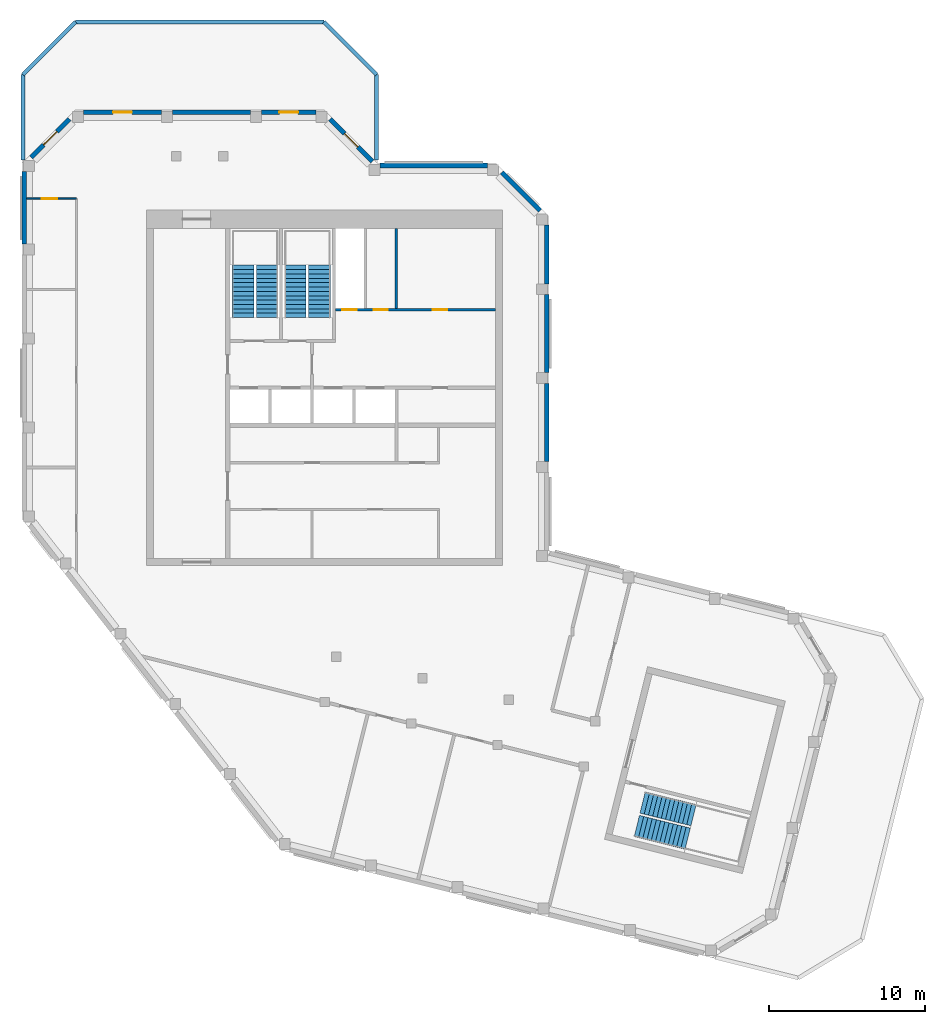
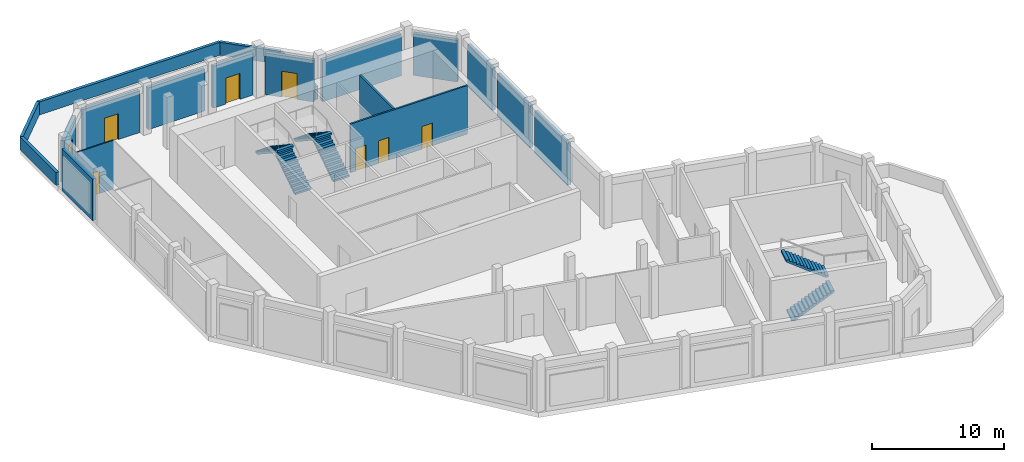
# One storey, part 4 of 5: 19 walls, 8 doors, 6 stair flights, 8 openings, 3 elements without a shape of their own.
"""IFC4 building model written with IfcOpenShell, lengths in metres."""

from ifc_helpers import new_model, si_unit, direction, frame, frame_2d, origin, place, context, subcontext, project, spatial, polyline, rectangle, outline, extrude, material, layer, layer_set, type_object, element, fill, aggregate, save


model = new_model("IFC4")

# Units and contexts
model_context = context("Model", 3, precision=1e-05, world=origin(), true_north=direction((0.0, 1.0)))
body_context = subcontext(model_context, "Body", "Model", "MODEL_VIEW")
ifc_project = project(units=[si_unit("LENGTHUNIT", "METRE"), si_unit("AREAUNIT", "SQUARE_METRE"), si_unit("VOLUMEUNIT", "CUBIC_METRE"), si_unit("PLANEANGLEUNIT", "RADIAN"), si_unit("MASSUNIT", "GRAM", prefix="KILO")], contexts=[model_context])

# Site, building, storey
site_placement = place(None, origin())
site = spatial("IfcSite", under=ifc_project, at=site_placement, CompositionType="ELEMENT")
building_placement = place(site_placement, origin())
building = spatial("IfcBuilding", under=site, at=building_placement, Name="Meshkara Civic Tower", CompositionType="ELEMENT")
storey_placement = place(building_placement, frame((0.0, 0.0, 409.800048828125)))
storey = spatial("IfcBuildingStorey", under=building, at=storey_placement, Name="L94 Crown", CompositionType="ELEMENT", Elevation=409.800048828125)

# Walls
ifc_material_1 = material(Name="Insulated infill panel with bronze anodised aluminium cladding", Category="aluminium")
ifc_layer_1 = layer(ifc_material_1, 0.300048828125)
ifc_layer_set_1 = layer_set([ifc_layer_1], Name="CROWN WALL 300")
wall_type_1 = type_object("IfcWallType", Name="CROWN WALL 300", PredefinedType="SOLIDWALL", material=ifc_layer_set_1)
for number, where, z_axis, x_axis, name in (
    (1, (33.64990234375, 20.76904296875, 0.0), (0.0, 0.0, 1.0), (0.0, 1.0, 0.0), "Crown external wall"),
    (2, (33.64990234375, 26.468994140625, 0.0), (0.0, 0.0, 1.0), (0.0, 1.0, 0.0), "Crown external wall"),
):
    element("IfcWall", number, at=place(storey_placement, frame(where, z_axis=z_axis, x_axis=x_axis)), inside=storey, type_object=wall_type_1, Name=name, PredefinedType="SOLIDWALL", context=body_context, shape_type="SweptSolid", body=[
        extrude(rectangle(XDim=5.0, YDim=0.300048828125, at=frame_2d((2.5, 0.0))), origin(), (0.0, 0.0, 1.0), 3.849853515625),
    ])
wall_1_placement = place(storey_placement, frame((33.64990234375, 32.1689453125, 0.0), z_axis=(0.0, 0.0, 1.0), x_axis=(0.0, 1.0, 0.0)))
element("IfcWall", 3, at=wall_1_placement, inside=storey, type_object=wall_type_1, Name="Crown external wall", PredefinedType="SOLIDWALL", context=body_context, shape_type="SweptSolid", body=[
    extrude(rectangle(XDim=3.775146484375, YDim=0.300048828125, at=frame_2d((1.8876953125, 0.0))), origin(), (0.0, 0.0, 1.0), 3.849853515625),
])
wall_2_placement = place(storey_placement, frame((33.2119140625, 36.85595703125, 0.0), z_axis=(0.0, 0.0, 1.0), x_axis=(-0.707071634094, 0.707141926532, 0.0)))
element("IfcWall", 4, at=wall_2_placement, inside=storey, type_object=wall_type_1, Name="Crown external wall", PredefinedType="SOLIDWALL", context=body_context, shape_type="SweptSolid", body=[
    extrude(rectangle(XDim=3.47314453125, YDim=0.300048828125, at=frame_2d((1.736572265625, 0.0))), origin(), (0.0, 0.0, 1.0), 3.849853515625),
])
wall_3_placement = place(storey_placement, frame((29.843994140625, 39.75, 0.0), z_axis=(0.0, 0.0, 1.0), x_axis=(-1.0, 0.0, 0.0)))
element("IfcWall", 5, at=wall_3_placement, inside=storey, type_object=wall_type_1, Name="Crown external wall", PredefinedType="SOLIDWALL", context=body_context, shape_type="SweptSolid", body=[
    extrude(rectangle(XDim=6.8798828125, YDim=0.300048828125, at=frame_2d((3.43994140625, 0.0))), origin(), (0.0, 0.0, 1.0), 3.849853515625),
])

# Wall, opening, door
wall_4_placement = place(storey_placement, frame((22.47607421875, 40.011962890625, 0.0), z_axis=(0.0, 0.0, 1.0), x_axis=(-0.707106781187, 0.707106781187, 0.0)))
wall_4 = element("IfcWall", 6, at=wall_4_placement, inside=storey, type_object=wall_type_1, Name="Crown external wall", PredefinedType="SOLIDWALL", context=body_context, shape_type="SweptSolid", body=[
    extrude(rectangle(XDim=3.8466796875, YDim=0.300048828125, at=frame_2d((1.92333984375, 0.0))), origin(), (0.0, 0.0, 1.0), 3.849853515625),
])
opening_1_placement = place(wall_4_placement, frame((1.322998046875, 0.0, 0.0)))
opening_1 = element("IfcOpeningElement", 7, at=opening_1_placement, cuts=wall_4, Name="Opening L94 Crown-L001", PredefinedType="OPENING", context=body_context, shape_type="SweptSolid", body=[
    extrude(rectangle(XDim=1.199951171875, YDim=2.39990234375, at=frame_2d((0.60009765625, 1.199951171875))), frame((0.0, 0.159912109375, 0.0), z_axis=(0.0, -1.0, 0.0), x_axis=(1.0, 0.0, 0.0)), (0.0, 0.0, 1.0), 0.320068359375),
])
ifc_material_2 = material(Name="Steel S355", Category="steel")
door_type_1 = type_object("IfcDoorType", Name="ROOF ACCESS DOOR 1200x2400", OperationType="SINGLE_SWING_LEFT", PredefinedType="DOOR", material=ifc_material_2)
door_1_placement = place(opening_1_placement, origin())
door_1 = element("IfcDoor", 8, at=door_1_placement, inside=storey, type_object=door_type_1, Name="L94 Crown-L001", OperationType="SINGLE_SWING_LEFT", OverallHeight=2.39990234375, OverallWidth=1.199951171875, PredefinedType="DOOR", context=body_context, shape_type="SweptSolid", body=[
    extrude(rectangle(XDim=1.199951171875, YDim=2.39990234375, at=frame_2d((0.60009765625, 1.199951171875))), frame((0.0, 0.02490234375, 0.0), z_axis=(0.0, -1.0, 0.0), x_axis=(1.0, 0.0, 0.0)), (0.0, 0.0, 1.0), 0.050048828125),
])
fill(opening_1, door_1)

wall_5_placement = place(storey_placement, frame((18.843994140625, 43.169921875, 0.0), z_axis=(0.0, 0.0, 1.0), x_axis=(-1.0, 0.0, 0.0)))
wall_5 = element("IfcWall", 9, at=wall_5_placement, inside=storey, type_object=wall_type_1, Name="Crown external wall", PredefinedType="SOLIDWALL", context=body_context, shape_type="SweptSolid", body=[
    extrude(rectangle(XDim=3.488037109375, YDim=0.300048828125, at=frame_2d((1.744140625, 0.0))), origin(), (0.0, 0.0, 1.0), 3.849853515625),
])
opening_2_placement = place(wall_5_placement, frame((1.14404296875, 0.0, 0.0)))
opening_2 = element("IfcOpeningElement", 10, at=opening_2_placement, cuts=wall_5, Name="Opening L94 Crown-L002", PredefinedType="OPENING", context=body_context, shape_type="SweptSolid", body=[
    extrude(rectangle(XDim=1.199951171875, YDim=2.39990234375, at=frame_2d((0.60009765625, 1.199951171875))), frame((0.0, 0.159912109375, 0.0), z_axis=(0.0, -1.0, 0.0), x_axis=(1.0, 0.0, 0.0)), (0.0, 0.0, 1.0), 0.320068359375),
])
door_2_placement = place(opening_2_placement, origin())
door_2 = element("IfcDoor", 11, at=door_2_placement, inside=storey, type_object=door_type_1, Name="L94 Crown-L002", OperationType="SINGLE_SWING_LEFT", OverallHeight=2.39990234375, OverallWidth=1.199951171875, PredefinedType="DOOR", context=body_context, shape_type="SweptSolid", body=[
    extrude(rectangle(XDim=1.199951171875, YDim=2.39990234375, at=frame_2d((0.60009765625, 1.199951171875))), frame((0.0, 0.02490234375, 0.0), z_axis=(0.0, -1.0, 0.0), x_axis=(1.0, 0.0, 0.0)), (0.0, 0.0, 1.0), 0.050048828125),
])
fill(opening_2, door_2)

# Wall
wall_6_placement = place(storey_placement, frame((14.656005859375, 43.169921875, 0.0), z_axis=(0.0, 0.0, 1.0), x_axis=(-1.0, 0.0, 0.0)))
element("IfcWall", 12, at=wall_6_placement, inside=storey, type_object=wall_type_1, Name="Crown external wall", PredefinedType="SOLIDWALL", context=body_context, shape_type="SweptSolid", body=[
    extrude(rectangle(XDim=5.0, YDim=0.300048828125, at=frame_2d((2.5, 0.0))), origin(), (0.0, 0.0, 1.0), 3.849853515625),
])

# Wall, opening, door
wall_7_placement = place(storey_placement, frame((8.9560546875, 43.169921875, 0.0), z_axis=(0.0, 0.0, 1.0), x_axis=(-1.0, 0.0, 0.0)))
wall_7 = element("IfcWall", 13, at=wall_7_placement, inside=storey, type_object=wall_type_1, Name="Crown external wall", PredefinedType="SOLIDWALL", context=body_context, shape_type="SweptSolid", body=[
    extrude(rectangle(XDim=5.0, YDim=0.300048828125, at=frame_2d((2.5, 0.0))), origin(), (0.0, 0.0, 1.0), 3.849853515625),
])
opening_3_placement = place(wall_7_placement, frame((1.89990234375, 0.0, 0.0)))
opening_3 = element("IfcOpeningElement", 14, at=opening_3_placement, cuts=wall_7, Name="Opening L94 Crown-L003", PredefinedType="OPENING", context=body_context, shape_type="SweptSolid", body=[
    extrude(rectangle(XDim=1.199951171875, YDim=2.39990234375, at=frame_2d((0.60009765625, 1.199951171875))), frame((0.0, 0.159912109375, 0.0), z_axis=(0.0, -1.0, 0.0), x_axis=(1.0, 0.0, 0.0)), (0.0, 0.0, 1.0), 0.320068359375),
])
door_3_placement = place(opening_3_placement, origin())
door_3 = element("IfcDoor", 15, at=door_3_placement, inside=storey, type_object=door_type_1, Name="L94 Crown-L003", OperationType="SINGLE_SWING_LEFT", OverallHeight=2.39990234375, OverallWidth=1.199951171875, PredefinedType="DOOR", context=body_context, shape_type="SweptSolid", body=[
    extrude(rectangle(XDim=1.199951171875, YDim=2.39990234375, at=frame_2d((0.60009765625, 1.199951171875))), frame((0.0, 0.02490234375, 0.0), z_axis=(0.0, -1.0, 0.0), x_axis=(1.0, 0.0, 0.0)), (0.0, 0.0, 1.0), 0.050048828125),
])
fill(opening_3, door_3)

wall_8_placement = place(storey_placement, frame((3.0439453125, 42.73193359375, 0.0), z_axis=(0.0, 0.0, 1.0), x_axis=(-0.707106781187, -0.707106781187, 0.0)))
wall_8 = element("IfcWall", 16, at=wall_8_placement, inside=storey, type_object=wall_type_1, Name="Crown external wall", PredefinedType="SOLIDWALL", context=body_context, shape_type="SweptSolid", body=[
    extrude(rectangle(XDim=3.473388671875, YDim=0.300048828125, at=frame_2d((1.73681640625, 0.0))), origin(), (0.0, 0.0, 1.0), 3.849853515625),
])
opening_4_placement = place(wall_8_placement, frame((1.136962890625, 0.0, 0.0)))
opening_4 = element("IfcOpeningElement", 17, at=opening_4_placement, cuts=wall_8, Name="Opening L94 Crown-L004", PredefinedType="OPENING", context=body_context, shape_type="SweptSolid", body=[
    extrude(rectangle(XDim=1.199951171875, YDim=2.39990234375, at=frame_2d((0.60009765625, 1.199951171875))), frame((0.0, 0.159912109375, 0.0), z_axis=(0.0, -1.0, 0.0), x_axis=(1.0, 0.0, 0.0)), (0.0, 0.0, 1.0), 0.320068359375),
])
door_4_placement = place(opening_4_placement, origin())
door_4 = element("IfcDoor", 18, at=door_4_placement, inside=storey, type_object=door_type_1, Name="L94 Crown-L004", OperationType="SINGLE_SWING_LEFT", OverallHeight=2.39990234375, OverallWidth=1.199951171875, PredefinedType="DOOR", context=body_context, shape_type="SweptSolid", body=[
    extrude(rectangle(XDim=1.199951171875, YDim=2.39990234375, at=frame_2d((0.60009765625, 1.199951171875))), frame((0.0, 0.02490234375, 0.0), z_axis=(0.0, -1.0, 0.0), x_axis=(1.0, 0.0, 0.0)), (0.0, 0.0, 1.0), 0.050048828125),
])
fill(opening_4, door_4)

# Wall
wall_9_placement = place(storey_placement, frame((0.14990234375, 39.364013671875, 0.0), z_axis=(0.0, 0.0, 1.0), x_axis=(0.0, -1.0, 0.0)))
element("IfcWall", 19, at=wall_9_placement, inside=storey, type_object=wall_type_1, Name="Crown external wall", PredefinedType="SOLIDWALL", context=body_context, shape_type="SweptSolid", body=[
    extrude(rectangle(XDim=4.658935546875, YDim=0.300048828125, at=frame_2d((2.32958984375, 0.0))), origin(), (0.0, 0.0, 1.0), 3.849853515625),
])

# Wall, openings, doors
ifc_material_3 = material(Name="Blockwork", Category="masonry")
ifc_layer_2 = layer(ifc_material_3, 0.14990234375)
ifc_layer_set_2 = layer_set([ifc_layer_2], Name="Core partition 150")
wall_type_2 = type_object("IfcWallType", Name="Core partition 150", PredefinedType="PARTITIONING", material=ifc_layer_set_2)
wall_10_placement = place(storey_placement, frame((20.10009765625, 30.5, 0.0), z_axis=(0.0, 0.0, 1.0), x_axis=(1.0, 0.0, 0.0)))
wall_10 = element("IfcWall", 20, at=wall_10_placement, inside=storey, type_object=wall_type_2, Name="L94 Crown-C010", PredefinedType="PARTITIONING", context=body_context, shape_type="SweptSolid", body=[
    extrude(rectangle(XDim=10.25, YDim=0.14990234375, at=frame_2d((5.125, 0.0))), origin(), (0.0, 0.0, 1.0), 4.5),
])
opening_5_placement = place(wall_10_placement, frame((0.449951171875, 0.0, 0.0)))
opening_5 = element("IfcOpeningElement", 21, at=opening_5_placement, cuts=wall_10, Name="Opening L94 Crown-K010", PredefinedType="OPENING", context=body_context, shape_type="SweptSolid", body=[
    extrude(rectangle(XDim=0.89990234375, YDim=2.10009765625, at=frame_2d((0.449951171875, 1.050048828125))), frame((0.0, 0.0849609375, 0.0), z_axis=(0.0, -1.0, 0.0), x_axis=(1.0, 0.0, 0.0)), (0.0, 0.0, 1.0), 0.169921875),
])
opening_6_placement = place(wall_10_placement, frame((2.449951171875, 0.0, 0.0)))
opening_6 = element("IfcOpeningElement", 22, at=opening_6_placement, cuts=wall_10, Name="Opening L94 Crown-K011", PredefinedType="OPENING", context=body_context, shape_type="SweptSolid", body=[
    extrude(rectangle(XDim=0.89990234375, YDim=2.10009765625, at=frame_2d((0.449951171875, 1.050048828125))), frame((0.0, 0.0849609375, 0.0), z_axis=(0.0, -1.0, 0.0), x_axis=(1.0, 0.0, 0.0)), (0.0, 0.0, 1.0), 0.169921875),
])
opening_7_placement = place(wall_10_placement, frame((6.25, 0.0, 0.0)))
opening_7 = element("IfcOpeningElement", 23, at=opening_7_placement, cuts=wall_10, Name="Opening L94 Crown-K012", PredefinedType="OPENING", context=body_context, shape_type="SweptSolid", body=[
    extrude(rectangle(XDim=0.89990234375, YDim=2.10009765625, at=frame_2d((0.449951171875, 1.050048828125))), frame((0.0, 0.0849609375, 0.0), z_axis=(0.0, -1.0, 0.0), x_axis=(1.0, 0.0, 0.0)), (0.0, 0.0, 1.0), 0.169921875),
])
ifc_material_4 = material(Name="Timber door leaf in steel frame", Category="steel")
door_type_2 = type_object("IfcDoorType", Name="Core room door 900", OperationType="SINGLE_SWING_LEFT", PredefinedType="DOOR", material=ifc_material_4)
door_5_placement = place(opening_7_placement, origin())
door_5 = element("IfcDoor", 24, at=door_5_placement, inside=storey, type_object=door_type_2, Name="L94 Crown-K012", OperationType="SINGLE_SWING_RIGHT", OverallHeight=2.10009765625, OverallWidth=0.89990234375, PredefinedType="DOOR", context=body_context, shape_type="SweptSolid", body=[
    extrude(rectangle(XDim=0.89990234375, YDim=2.10009765625, at=frame_2d((0.449951171875, 1.050048828125))), frame((0.0, 0.02490234375, 0.0), z_axis=(0.0, -1.0, 0.0), x_axis=(1.0, 0.0, 0.0)), (0.0, 0.0, 1.0), 0.050048828125),
])
fill(opening_7, door_5)
ifc_material_5 = material(Name="Fire-rated door leaf in steel frame", Category="steel")
door_type_3 = type_object("IfcDoorType", Name="Riser door 900", OperationType="SINGLE_SWING_LEFT", PredefinedType="DOOR", material=ifc_material_5)
door_6_placement = place(opening_5_placement, origin())
door_6 = element("IfcDoor", 25, at=door_6_placement, inside=storey, type_object=door_type_3, Name="L94 Crown-K010", OperationType="SINGLE_SWING_RIGHT", OverallHeight=2.10009765625, OverallWidth=0.89990234375, PredefinedType="DOOR", context=body_context, shape_type="SweptSolid", body=[
    extrude(rectangle(XDim=0.89990234375, YDim=2.10009765625, at=frame_2d((0.449951171875, 1.050048828125))), frame((0.0, 0.02490234375, 0.0), z_axis=(0.0, -1.0, 0.0), x_axis=(1.0, 0.0, 0.0)), (0.0, 0.0, 1.0), 0.050048828125),
])
fill(opening_5, door_6)
ifc_material_6 = material(Name="Timber door leaf in steel frame", Category="steel")
door_type_4 = type_object("IfcDoorType", Name="WC door 900", OperationType="SINGLE_SWING_LEFT", PredefinedType="DOOR", material=ifc_material_6)
door_7_placement = place(opening_6_placement, origin())
door_7 = element("IfcDoor", 26, at=door_7_placement, inside=storey, type_object=door_type_4, Name="L94 Crown-K011", OperationType="SINGLE_SWING_LEFT", OverallHeight=2.10009765625, OverallWidth=0.89990234375, PredefinedType="DOOR", context=body_context, shape_type="SweptSolid", body=[
    extrude(rectangle(XDim=0.89990234375, YDim=2.10009765625, at=frame_2d((0.449951171875, 1.050048828125))), frame((0.0, 0.02490234375, 0.0), z_axis=(0.0, -1.0, 0.0), x_axis=(1.0, 0.0, 0.0)), (0.0, 0.0, 1.0), 0.050048828125),
])
fill(opening_6, door_7)

# Wall
wall_11_placement = place(storey_placement, frame((24.0, 30.574951171875, 0.0), z_axis=(0.0, 0.0, 1.0), x_axis=(0.0, 1.0, 0.0)))
element("IfcWall", 27, at=wall_11_placement, inside=storey, type_object=wall_type_2, Name="L94 Crown-C020", PredefinedType="PARTITIONING", context=body_context, shape_type="SweptSolid", body=[
    extrude(rectangle(XDim=5.125, YDim=0.14990234375, at=frame_2d((2.5625, 0.0))), origin(), (0.0, 0.0, 1.0), 4.5),
])

# Wall, opening, door
ifc_material_7 = material(Name="Corridor wall 100")
ifc_layer_3 = layer(ifc_material_7, 0.10009765625)
ifc_layer_set_3 = layer_set([ifc_layer_3], Name="Corridor wall 100")
wall_type_3 = type_object("IfcWallType", Name="Corridor wall 100", PredefinedType="PARTITIONING", material=ifc_layer_set_3)
wall_12_placement = place(storey_placement, frame((0.300048828125, 37.6201171875, 0.0), z_axis=(0.0, 0.0, 1.0), x_axis=(1.0, 0.0, 0.0)))
wall_12 = element("IfcWall", 28, at=wall_12_placement, inside=storey, type_object=wall_type_3, Name="L94 Crown-R001", PredefinedType="PARTITIONING", context=body_context, shape_type="SweptSolid", body=[
    extrude(rectangle(XDim=3.199951171875, YDim=0.10009765625, at=frame_2d((1.60009765625, 0.0))), origin(), (0.0, 0.0, 1.0), 4.5),
])
opening_8_placement = place(wall_12_placement, frame((0.97998046875, 0.0, 0.0)))
opening_8 = element("IfcOpeningElement", 29, at=opening_8_placement, cuts=wall_12, Name="Opening L94 Crown-P007", PredefinedType="OPENING", context=body_context, shape_type="SweptSolid", body=[
    extrude(rectangle(XDim=1.0, YDim=2.10009765625, at=frame_2d((0.5, 1.050048828125))), frame((0.0, 0.06005859375, 0.0), z_axis=(0.0, -1.0, 0.0), x_axis=(1.0, 0.0, 0.0)), (0.0, 0.0, 1.0), 0.1201171875),
])
ifc_material_8 = material(Name="Door 1000 x 2100")
door_type_5 = type_object("IfcDoorType", Name="Door 1000 x 2100", OperationType="SINGLE_SWING_LEFT", PredefinedType="DOOR", material=ifc_material_8)
door_8_placement = place(opening_8_placement, origin())
door_8 = element("IfcDoor", 30, at=door_8_placement, inside=storey, type_object=door_type_5, Name="L94 Crown-P007", OperationType="SINGLE_SWING_LEFT", OverallHeight=2.10009765625, OverallWidth=1.0, PredefinedType="DOOR", context=body_context, shape_type="SweptSolid", body=[
    extrude(rectangle(XDim=1.0, YDim=2.10009765625, at=frame_2d((0.5, 1.050048828125))), frame((0.0, 0.02490234375, 0.0), z_axis=(0.0, -1.0, 0.0), x_axis=(1.0, 0.0, 0.0)), (0.0, 0.0, 1.0), 0.050048828125),
])
fill(opening_8, door_8)

# Walls
ifc_material_9 = material(Name="Concrete C40", Category="concrete")
ifc_layer_4 = layer(ifc_material_9, 0.25)
ifc_layer_set_4 = layer_set([ifc_layer_4], Name="ROOF PARAPET 250")
wall_type_4 = type_object("IfcWallType", Name="ROOF PARAPET 250", PredefinedType="PARAPET", material=ifc_layer_set_4)
wall_13_placement = place(storey_placement, frame((0.070068359375, 40.111083984375, 0.0), z_axis=(0.0, 0.0, 1.0), x_axis=(0.0, 1.0, 0.0)))
element("IfcWall", 31, at=wall_13_placement, inside=storey, type_object=wall_type_4, Name="Roof parapet", PredefinedType="PARAPET", context=body_context, shape_type="SweptSolid", body=[
    extrude(rectangle(XDim=5.4599609375, YDim=0.25, at=frame_2d((2.72998046875, 0.0))), origin(), (0.0, 0.0, 1.0), 1.199951171875),
])
wall_14_placement = place(storey_placement, frame((0.070068359375, 45.571044921875, 0.0), z_axis=(0.0, 0.0, 1.0), x_axis=(0.707106781187, 0.707106781187, 0.0)))
element("IfcWall", 32, at=wall_14_placement, inside=storey, type_object=wall_type_4, Name="Roof parapet", PredefinedType="PARAPET", context=body_context, shape_type="SweptSolid", body=[
    extrude(rectangle(XDim=4.778564453125, YDim=0.25, at=frame_2d((2.38916015625, 0.0))), origin(), (0.0, 0.0, 1.0), 1.199951171875),
])
wall_15_placement = place(storey_placement, frame((3.448974609375, 48.949951171875, 0.0), z_axis=(0.0, 0.0, 1.0), x_axis=(1.0, 0.0, 0.0)))
element("IfcWall", 33, at=wall_15_placement, inside=storey, type_object=wall_type_4, Name="Roof parapet", PredefinedType="PARAPET", context=body_context, shape_type="SweptSolid", body=[
    extrude(rectangle(XDim=15.902099609375, YDim=0.25, at=frame_2d((7.951171875, 0.0))), origin(), (0.0, 0.0, 1.0), 1.199951171875),
])
wall_16_placement = place(storey_placement, frame((19.35107421875, 48.949951171875, 0.0), z_axis=(0.0, 0.0, 1.0), x_axis=(0.707106781187, -0.707106781187, 0.0)))
element("IfcWall", 34, at=wall_16_placement, inside=storey, type_object=wall_type_4, Name="Roof parapet", PredefinedType="PARAPET", context=body_context, shape_type="SweptSolid", body=[
    extrude(rectangle(XDim=4.778564453125, YDim=0.25, at=frame_2d((2.38916015625, 0.0))), origin(), (0.0, 0.0, 1.0), 1.199951171875),
])
wall_17_placement = place(storey_placement, frame((22.72998046875, 45.571044921875, 0.0), z_axis=(0.0, 0.0, 1.0), x_axis=(0.0, -1.0, 0.0)))
element("IfcWall", 35, at=wall_17_placement, inside=storey, type_object=wall_type_4, Name="Roof parapet", PredefinedType="PARAPET", context=body_context, shape_type="SweptSolid", body=[
    extrude(rectangle(XDim=5.4599609375, YDim=0.25, at=frame_2d((2.72998046875, 0.0))), origin(), (0.0, 0.0, 1.0), 1.199951171875),
])

# Stair, stair flights
ifc_material_10 = material(Name="Precast concrete C40/50", Category="concrete")
stair_type = type_object("IfcStairType", Name="Exit stair half-turn 26 risers precast", PredefinedType="HALF_TURN_STAIR", material=ifc_material_10)
stair_1_placement = place(storey_placement, origin())
stair_1 = element("IfcStair", 36, at=stair_1_placement, inside=storey, type_object=stair_type, Name="L94 Crown exit stair 1", PredefinedType="HALF_TURN_STAIR")
ifc_material_11 = material(Name="Precast concrete C40/50", Category="concrete")
stair_flight_type = type_object("IfcStairFlightType", Name="Exit stair flight 13 risers precast", PredefinedType="STRAIGHT", material=ifc_material_11)
stair_flight_1_placement = place(storey_placement, frame((15.72509765625, 30.0, 0.0), z_axis=(0.0, 0.0, 1.0), x_axis=(0.0, 1.0, 0.0)))
stair_flight_1 = element("IfcStairFlight", 37, at=stair_flight_1_placement, type_object=stair_flight_type, Name="ST1 flight 1", NumberOfRisers=13, NumberOfTreads=12, PredefinedType="STRAIGHT", RiserHeight=0.184615385, TreadLength=0.28, context=body_context, shape_type="SweptSolid", body=[
    extrude(outline(polyline([(0.0, 0.0), (0.0, 0.1845703125), (0.280029296875, 0.1845703125), (0.280029296875, 0.369140625), (0.56005859375, 0.369140625), (0.56005859375, 0.553955078125), (0.840087890625, 0.553955078125), (0.840087890625, 0.738525390625), (1.1201171875, 0.738525390625), (1.1201171875, 0.923095703125), (1.39990234375, 0.923095703125), (1.39990234375, 1.107666015625), (1.679931640625, 1.107666015625), (1.679931640625, 1.292236328125), (1.9599609375, 1.292236328125), (1.9599609375, 1.476806640625), (2.239990234375, 1.476806640625), (2.239990234375, 1.66162109375), (2.52001953125, 1.66162109375), (2.52001953125, 1.84619140625), (2.800048828125, 1.84619140625), (2.800048828125, 2.03076171875), (3.080078125, 2.03076171875), (3.080078125, 2.21533203125), (3.360107421875, 2.21533203125), (3.360107421875, 2.39990234375), (3.360107421875, 2.035888671875), (0.272216796875, 0.0), (0.0, 0.0)])), frame((0.0, 0.699951171875, 0.0), z_axis=(0.0, -1.0, 0.0), x_axis=(1.0, 0.0, 0.0)), (0.0, 0.0, 1.0), 1.39990234375),
])
stair_flight_2_placement = place(storey_placement, frame((14.175048828125, 33.360107421875, 2.39990234375), z_axis=(0.0, 0.0, 1.0), x_axis=(0.0, -1.0, 0.0)))
stair_flight_2 = element("IfcStairFlight", 38, at=stair_flight_2_placement, type_object=stair_flight_type, Name="ST1 flight 2", NumberOfRisers=13, NumberOfTreads=12, PredefinedType="STRAIGHT", RiserHeight=0.184615385, TreadLength=0.28, context=body_context, shape_type="SweptSolid", body=[
    extrude(outline(polyline([(0.0, 0.0), (0.0, 0.1845703125), (0.280029296875, 0.1845703125), (0.280029296875, 0.369140625), (0.56005859375, 0.369140625), (0.56005859375, 0.553955078125), (0.840087890625, 0.553955078125), (0.840087890625, 0.738525390625), (1.1201171875, 0.738525390625), (1.1201171875, 0.923095703125), (1.39990234375, 0.923095703125), (1.39990234375, 1.107666015625), (1.679931640625, 1.107666015625), (1.679931640625, 1.292236328125), (1.9599609375, 1.292236328125), (1.9599609375, 1.476806640625), (2.239990234375, 1.476806640625), (2.239990234375, 1.66162109375), (2.52001953125, 1.66162109375), (2.52001953125, 1.84619140625), (2.800048828125, 1.84619140625), (2.800048828125, 2.03076171875), (3.080078125, 2.03076171875), (3.080078125, 2.21533203125), (3.360107421875, 2.21533203125), (3.360107421875, 2.39990234375), (3.360107421875, 2.035888671875), (0.272216796875, 0.0), (0.0, 0.0)])), frame((0.0, 0.699951171875, 0.0), z_axis=(0.0, -1.0, 0.0), x_axis=(1.0, 0.0, 0.0)), (0.0, 0.0, 1.0), 1.39990234375),
])
aggregate(stair_1, [stair_flight_1, stair_flight_2])

stair_2_placement = place(storey_placement, origin())
stair_2 = element("IfcStair", 39, at=stair_2_placement, inside=storey, type_object=stair_type, Name="L94 Crown exit stair 2", PredefinedType="HALF_TURN_STAIR")
stair_flight_3_placement = place(storey_placement, frame((19.074951171875, 30.0, 0.0), z_axis=(0.0, 0.0, 1.0), x_axis=(0.0, 1.0, 0.0)))
stair_flight_3 = element("IfcStairFlight", 40, at=stair_flight_3_placement, type_object=stair_flight_type, Name="ST2 flight 1", NumberOfRisers=13, NumberOfTreads=12, PredefinedType="STRAIGHT", RiserHeight=0.184615385, TreadLength=0.28, context=body_context, shape_type="SweptSolid", body=[
    extrude(outline(polyline([(0.0, 0.0), (0.0, 0.1845703125), (0.280029296875, 0.1845703125), (0.280029296875, 0.369140625), (0.56005859375, 0.369140625), (0.56005859375, 0.553955078125), (0.840087890625, 0.553955078125), (0.840087890625, 0.738525390625), (1.1201171875, 0.738525390625), (1.1201171875, 0.923095703125), (1.39990234375, 0.923095703125), (1.39990234375, 1.107666015625), (1.679931640625, 1.107666015625), (1.679931640625, 1.292236328125), (1.9599609375, 1.292236328125), (1.9599609375, 1.476806640625), (2.239990234375, 1.476806640625), (2.239990234375, 1.66162109375), (2.52001953125, 1.66162109375), (2.52001953125, 1.84619140625), (2.800048828125, 1.84619140625), (2.800048828125, 2.03076171875), (3.080078125, 2.03076171875), (3.080078125, 2.21533203125), (3.360107421875, 2.21533203125), (3.360107421875, 2.39990234375), (3.360107421875, 2.035888671875), (0.272216796875, 0.0), (0.0, 0.0)])), frame((0.0, 0.699951171875, 0.0), z_axis=(0.0, -1.0, 0.0), x_axis=(1.0, 0.0, 0.0)), (0.0, 0.0, 1.0), 1.39990234375),
])
stair_flight_4_placement = place(storey_placement, frame((17.52490234375, 33.360107421875, 2.39990234375), z_axis=(0.0, 0.0, 1.0), x_axis=(0.0, -1.0, 0.0)))
stair_flight_4 = element("IfcStairFlight", 41, at=stair_flight_4_placement, type_object=stair_flight_type, Name="ST2 flight 2", NumberOfRisers=13, NumberOfTreads=12, PredefinedType="STRAIGHT", RiserHeight=0.184615385, TreadLength=0.28, context=body_context, shape_type="SweptSolid", body=[
    extrude(outline(polyline([(0.0, 0.0), (0.0, 0.1845703125), (0.280029296875, 0.1845703125), (0.280029296875, 0.369140625), (0.56005859375, 0.369140625), (0.56005859375, 0.553955078125), (0.840087890625, 0.553955078125), (0.840087890625, 0.738525390625), (1.1201171875, 0.738525390625), (1.1201171875, 0.923095703125), (1.39990234375, 0.923095703125), (1.39990234375, 1.107666015625), (1.679931640625, 1.107666015625), (1.679931640625, 1.292236328125), (1.9599609375, 1.292236328125), (1.9599609375, 1.476806640625), (2.239990234375, 1.476806640625), (2.239990234375, 1.66162109375), (2.52001953125, 1.66162109375), (2.52001953125, 1.84619140625), (2.800048828125, 1.84619140625), (2.800048828125, 2.03076171875), (3.080078125, 2.03076171875), (3.080078125, 2.21533203125), (3.360107421875, 2.21533203125), (3.360107421875, 2.39990234375), (3.360107421875, 2.035888671875), (0.272216796875, 0.0), (0.0, 0.0)])), frame((0.0, 0.699951171875, 0.0), z_axis=(0.0, -1.0, 0.0), x_axis=(1.0, 0.0, 0.0)), (0.0, 0.0, 1.0), 1.39990234375),
])
aggregate(stair_2, [stair_flight_3, stair_flight_4])

stair_3_placement = place(storey_placement, origin())
stair_3 = element("IfcStair", 42, at=stair_3_placement, inside=storey, type_object=stair_type, Name="L94 Crown exit stair B from L94 Crown", PredefinedType="HALF_TURN_STAIR")
stair_flight_5_placement = place(storey_placement, frame((39.415771484375, -2.586669921875, 0.0), z_axis=(0.0, 0.0, 1.0), x_axis=(0.970494594367, -0.24112287802, 0.0)))
stair_flight_5 = element("IfcStairFlight", 43, at=stair_flight_5_placement, type_object=stair_flight_type, Name="ESB8 flight 1", NumberOfRisers=13, NumberOfTreads=12, PredefinedType="STRAIGHT", RiserHeight=0.184615385, TreadLength=0.28, context=body_context, shape_type="SweptSolid", body=[
    extrude(outline(polyline([(0.0, 0.0), (0.0, 0.1845703125), (0.280029296875, 0.1845703125), (0.280029296875, 0.369140625), (0.56005859375, 0.369140625), (0.56005859375, 0.553955078125), (0.840087890625, 0.553955078125), (0.840087890625, 0.738525390625), (1.1201171875, 0.738525390625), (1.1201171875, 0.923095703125), (1.39990234375, 0.923095703125), (1.39990234375, 1.107666015625), (1.679931640625, 1.107666015625), (1.679931640625, 1.292236328125), (1.9599609375, 1.292236328125), (1.9599609375, 1.476806640625), (2.239990234375, 1.476806640625), (2.239990234375, 1.66162109375), (2.52001953125, 1.66162109375), (2.52001953125, 1.84619140625), (2.800048828125, 1.84619140625), (2.800048828125, 2.03076171875), (3.080078125, 2.03076171875), (3.080078125, 2.21533203125), (3.360107421875, 2.21533203125), (3.360107421875, 2.39990234375), (3.360107421875, 2.035888671875), (0.272216796875, 0.0), (0.0, 0.0)])), frame((0.0, 0.699951171875, 0.0), z_axis=(0.0, -1.0, 0.0), x_axis=(1.0, 0.0, 0.0)), (0.0, 0.0, 1.0), 1.39990234375),
])
stair_flight_6_placement = place(storey_placement, frame((43.050537109375, -1.892578125, 2.39990234375), z_axis=(0.0, 0.0, 1.0), x_axis=(-0.970494594367, 0.24112287802, 0.0)))
stair_flight_6 = element("IfcStairFlight", 44, at=stair_flight_6_placement, type_object=stair_flight_type, Name="ESB8 flight 2", NumberOfRisers=13, NumberOfTreads=12, PredefinedType="STRAIGHT", RiserHeight=0.184615385, TreadLength=0.28, context=body_context, shape_type="SweptSolid", body=[
    extrude(outline(polyline([(0.0, 0.0), (0.0, 0.1845703125), (0.280029296875, 0.1845703125), (0.280029296875, 0.369140625), (0.56005859375, 0.369140625), (0.56005859375, 0.553955078125), (0.840087890625, 0.553955078125), (0.840087890625, 0.738525390625), (1.1201171875, 0.738525390625), (1.1201171875, 0.923095703125), (1.39990234375, 0.923095703125), (1.39990234375, 1.107666015625), (1.679931640625, 1.107666015625), (1.679931640625, 1.292236328125), (1.9599609375, 1.292236328125), (1.9599609375, 1.476806640625), (2.239990234375, 1.476806640625), (2.239990234375, 1.66162109375), (2.52001953125, 1.66162109375), (2.52001953125, 1.84619140625), (2.800048828125, 1.84619140625), (2.800048828125, 2.03076171875), (3.080078125, 2.03076171875), (3.080078125, 2.21533203125), (3.360107421875, 2.21533203125), (3.360107421875, 2.39990234375), (3.360107421875, 2.035888671875), (0.272216796875, 0.0), (0.0, 0.0)])), frame((0.0, 0.699951171875, 0.0), z_axis=(0.0, -1.0, 0.0), x_axis=(1.0, 0.0, 0.0)), (0.0, 0.0, 1.0), 1.39990234375),
])
aggregate(stair_3, [stair_flight_5, stair_flight_6])

save(model, "model.ifc")
